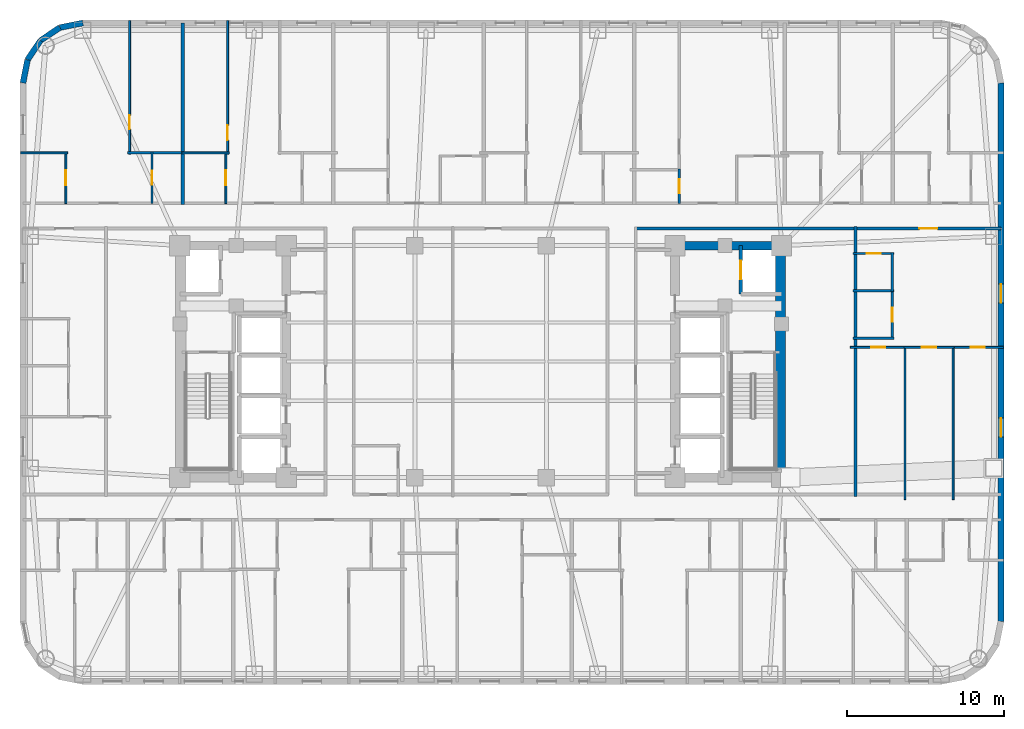
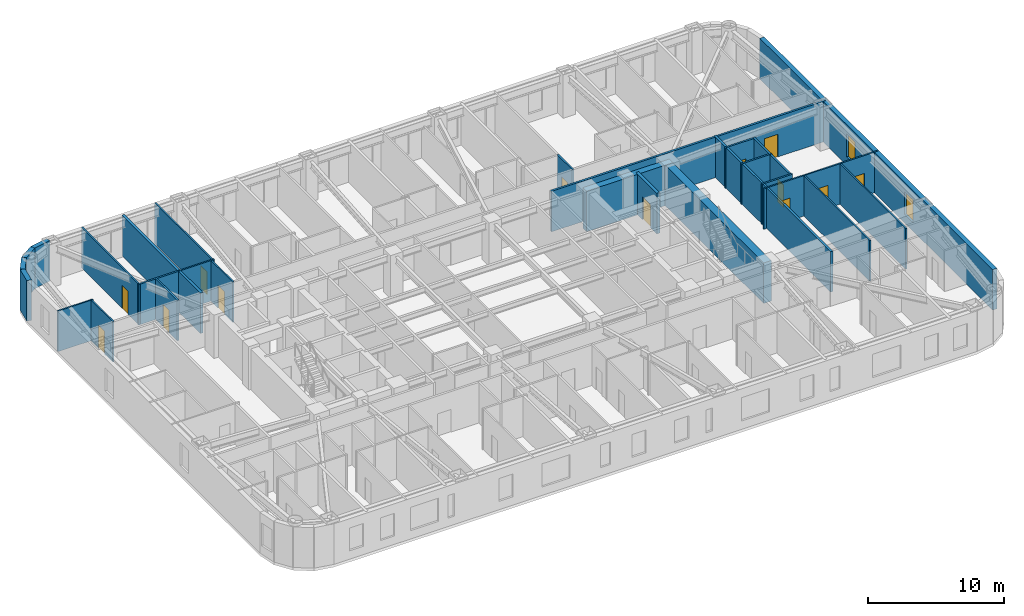
# One storey, part 7 of 11: 30 walls, 13 doors, 2 windows, 15 openings.
"""IFC4 building model written with IfcOpenShell, lengths in metres."""

from ifc_helpers import new_model, si_unit, direction, frame, frame_2d, origin, place, context, subcontext, project, spatial, rectangle, extrude, material, layer, layer_set, type_object, element, fill, save


model = new_model("IFC4")

# Units and contexts
model_context = context("Model", 3, precision=1e-05, world=origin(), true_north=direction((0.0, 1.0)))
body_context = subcontext(model_context, "Body", "Model", "MODEL_VIEW")
ifc_project = project(units=[si_unit("LENGTHUNIT", "METRE"), si_unit("AREAUNIT", "SQUARE_METRE"), si_unit("VOLUMEUNIT", "CUBIC_METRE"), si_unit("PLANEANGLEUNIT", "RADIAN"), si_unit("MASSUNIT", "GRAM", prefix="KILO")], contexts=[model_context])

# Site, building, storey
site_placement = place(None, origin())
site = spatial("IfcSite", under=ifc_project, at=site_placement, CompositionType="ELEMENT")
building_placement = place(site_placement, origin())
building = spatial("IfcBuilding", under=site, at=building_placement, Name="Voryun Gate Residences", CompositionType="ELEMENT")
storey_placement = place(building_placement, frame((0.0, 0.0, 105.300048828125)))
storey = spatial("IfcBuildingStorey", under=building, at=storey_placement, Name="L25", CompositionType="ELEMENT", Elevation=105.300048828125)

# Walls
ifc_material_1 = material(Name="Concrete C60/75", Category="concrete")
ifc_layer_1 = layer(ifc_material_1, 0.550048828125, Name="CW_CORE_550")
ifc_layer_set_1 = layer_set([ifc_layer_1], Name="Concrete C60/75")
wall_type_1 = type_object("IfcWallType", Name="CW_CORE_550", PredefinedType="SHEAR", material=ifc_layer_set_1)
wall_1_placement = place(storey_placement, frame((12.125, 7.39990234375, 0.0), z_axis=(0.0, 0.0, 1.0), x_axis=(1.0, 0.0, 0.0)))
element("IfcWall", 1, at=wall_1_placement, inside=storey, type_object=wall_type_1, Name="L25 Core shear wall CW-L25-EN", PredefinedType="SHEAR", context=body_context, shape_type="SweptSolid", body=[
    extrude(rectangle(XDim=7.35009765625, YDim=0.550048828125, at=frame_2d((3.675048828125, 0.0))), origin(), (0.0, 0.0, 1.0), 3.64990234375),
])
ifc_material_2 = material(Name="Concrete C60/75", Category="concrete")
ifc_layer_2 = layer(ifc_material_2, 0.64990234375, Name="CW_CORE_650")
ifc_layer_set_2 = layer_set([ifc_layer_2], Name="Concrete C60/75")
wall_type_2 = type_object("IfcWallType", Name="CW_CORE_650", PredefinedType="SHEAR", material=ifc_layer_set_2)
wall_2_placement = place(storey_placement, frame((19.14501953125, -7.39990234375, 0.0), z_axis=(0.0, 0.0, 1.0), x_axis=(0.0, 1.0, 0.0)))
element("IfcWall", 2, at=wall_2_placement, inside=storey, type_object=wall_type_2, Name="L25 Core shear wall CW-L25-EE", PredefinedType="SHEAR", context=body_context, shape_type="SweptSolid", body=[
    extrude(rectangle(XDim=14.7998046875, YDim=0.64990234375, at=frame_2d((7.39990234375, 0.0))), origin(), (0.0, 0.0, 1.0), 3.64990234375),
])

# Wall, opening, door
ifc_material_3 = material(Name="Gypsum acoustic fireboard")
ifc_layer_3 = layer(ifc_material_3, 0.179931640625, Name="W_CORR_RATED_180")
ifc_layer_set_3 = layer_set([ifc_layer_3], Name="Gypsum acoustic fireboard")
wall_type_3 = type_object("IfcWallType", Name="W_CORR_RATED_180", PredefinedType="PARTITIONING", material=ifc_layer_set_3)
wall_3_placement = place(storey_placement, frame((9.8798828125, 8.489990234375, 0.0), z_axis=(0.0, 0.0, 1.0), x_axis=(1.0, 0.0, 0.0)))
wall_3 = element("IfcWall", 3, at=wall_3_placement, inside=storey, type_object=wall_type_3, Name="Partition wall WP-L25-CWING-EN", PredefinedType="PARTITIONING", context=body_context, shape_type="SweptSolid", body=[
    extrude(rectangle(XDim=23.330078125, YDim=0.179931640625, at=frame_2d((11.6650390625, 0.0))), origin(), (0.0, 0.0, 1.0), 3.64990234375),
])
opening_1_placement = place(wall_3_placement, frame((18.11474609375, 0.0, 0.0)))
opening_1 = element("IfcOpeningElement", 4, at=opening_1_placement, cuts=wall_3, Name="Opening D-UNIT-1", PredefinedType="OPENING", context=body_context, shape_type="SweptSolid", body=[
    extrude(rectangle(XDim=1.14990234375, YDim=2.050048828125, at=frame_2d((0.574951171875, 1.02490234375))), frame((0.0, 0.099853515625, 0.0), z_axis=(0.0, -1.0, 0.0), x_axis=(1.0, 0.0, 0.0)), (0.0, 0.0, 1.0), 0.199951171875),
])
ifc_material_4 = material(Name="Armoured timber-clad fire door", Category="wood")
door_type_1 = type_object("IfcDoorType", Name="DR_UNIT_ENTRY_1150", OperationType="NOTDEFINED", PredefinedType="DOOR", material=ifc_material_4)
door_1_placement = place(opening_1_placement, origin())
door_1 = element("IfcDoor", 5, at=door_1_placement, inside=storey, type_object=door_type_1, Name="Door DR-L25-EE1N", OperationType="SINGLE_SWING_LEFT", OverallHeight=2.050048828125, OverallWidth=1.14990234375, PredefinedType="DOOR", context=body_context, shape_type="SweptSolid", body=[
    extrude(rectangle(XDim=1.14990234375, YDim=2.050048828125, at=frame_2d((0.574951171875, 1.02490234375))), frame((0.0, 0.02490234375, 0.0), z_axis=(0.0, -1.0, 0.0), x_axis=(1.0, 0.0, 0.0)), (0.0, 0.0, 1.0), 0.050048828125),
])
fill(opening_1, door_1)

# Walls
wall_4_placement = place(storey_placement, frame((23.919921875, -8.610107421875, 0.0), z_axis=(0.0, 0.0, 1.0), x_axis=(0.0, 1.0, 0.0)))
element("IfcWall", 6, at=wall_4_placement, inside=storey, type_object=wall_type_3, Name="Partition wall WP-L25-ECOR", PredefinedType="PARTITIONING", context=body_context, shape_type="SweptSolid", body=[
    extrude(rectangle(XDim=17.22021484375, YDim=0.179931640625, at=frame_2d((8.610107421875, 0.0))), origin(), (0.0, 0.0, 1.0), 3.64990234375),
])
ifc_material_5 = material(Name="Granite masonry", Category="masonry")
ifc_layer_4 = layer(ifc_material_5, 0.3798828125, Name="W_EXT_GRANITE_380")
ifc_layer_set_4 = layer_set([ifc_layer_4], Name="Granite masonry")
wall_type_4 = type_object("IfcWallType", Name="W_EXT_GRANITE_380", PredefinedType="ELEMENTEDWALL", material=ifc_layer_set_4)
wall_5_placement = place(storey_placement, frame((-29.2099609375, 17.78125, 0.0), z_axis=(0.0, 0.0, 1.0), x_axis=(0.195086038585, 0.980786132421, 0.0)))
element("IfcWall", 7, at=wall_5_placement, inside=storey, type_object=wall_type_4, Name="Exterior wall WEXT-L25-07", PredefinedType="ELEMENTEDWALL", context=body_context, shape_type="SweptSolid", body=[
    extrude(rectangle(XDim=1.504150390625, YDim=0.3798828125, at=frame_2d((0.751953125, 0.0))), origin(), (0.0, 0.0, 1.0), 3.64990234375),
])
wall_6_placement = place(storey_placement, frame((-28.91650390625, 19.256591796875, 0.0), z_axis=(0.0, 0.0, 1.0), x_axis=(0.555610286119, 0.831442848281, 0.0)))
element("IfcWall", 8, at=wall_6_placement, inside=storey, type_object=wall_type_4, Name="Exterior wall WEXT-L25-08", PredefinedType="ELEMENTEDWALL", context=body_context, shape_type="SweptSolid", body=[
    extrude(rectangle(XDim=1.485107421875, YDim=0.3798828125, at=frame_2d((0.74267578125, 0.0))), origin(), (0.0, 0.0, 1.0), 3.64990234375),
])
wall_7_placement = place(storey_placement, frame((-28.09130859375, 20.491455078125, 0.0), z_axis=(0.0, 0.0, 1.0), x_axis=(0.831468045563, 0.555572577804, 0.0)))
element("IfcWall", 9, at=wall_7_placement, inside=storey, type_object=wall_type_4, Name="Exterior wall WEXT-L25-09", PredefinedType="ELEMENTEDWALL", context=body_context, shape_type="SweptSolid", body=[
    extrude(rectangle(XDim=1.48486328125, YDim=0.3798828125, at=frame_2d((0.742431640625, 0.0))), origin(), (0.0, 0.0, 1.0), 3.64990234375),
])
wall_8_placement = place(storey_placement, frame((-26.856689453125, 21.31640625, 0.0), z_axis=(0.0, 0.0, 1.0), x_axis=(0.980755066645, 0.195242155415, 0.0)))
element("IfcWall", 10, at=wall_8_placement, inside=storey, type_object=wall_type_4, Name="Exterior wall WEXT-L25-10", PredefinedType="ELEMENTEDWALL", context=body_context, shape_type="SweptSolid", body=[
    extrude(rectangle(XDim=1.50439453125, YDim=0.3798828125, at=frame_2d((0.752197265625, 0.0))), origin(), (0.0, 0.0, 1.0), 3.64990234375),
])

# Wall, openings, windows
wall_9_placement = place(storey_placement, frame((33.2099609375, 17.78125, 0.0), z_axis=(0.0, 0.0, 1.0), x_axis=(0.0, -1.0, 0.0)))
wall_9 = element("IfcWall", 11, at=wall_9_placement, inside=storey, type_object=wall_type_4, Name="Exterior wall WEXT-L25-16", PredefinedType="ELEMENTEDWALL", context=body_context, shape_type="SweptSolid", body=[
    extrude(rectangle(XDim=34.362548828125, YDim=0.3798828125, at=frame_2d((17.18115234375, 0.0))), origin(), (0.0, 0.0, 1.0), 3.64990234375),
])
opening_2_placement = place(wall_9_placement, frame((12.836181640625, 0.0, 0.75)))
opening_2 = element("IfcOpeningElement", 12, at=opening_2_placement, cuts=wall_9, Name="Opening WN6", PredefinedType="OPENING", context=body_context, shape_type="SweptSolid", body=[
    extrude(rectangle(XDim=1.199951171875, YDim=2.050048828125, at=frame_2d((0.60009765625, 1.02490234375))), frame((0.0, 0.199951171875, 0.0), z_axis=(0.0, -1.0, 0.0), x_axis=(1.0, 0.0, 0.0)), (0.0, 0.0, 1.0), 0.39990234375),
])
opening_3_placement = place(wall_9_placement, frame((21.38623046875, 0.0, 0.75)))
opening_3 = element("IfcOpeningElement", 13, at=opening_3_placement, cuts=wall_9, Name="Opening WN6", PredefinedType="OPENING", context=body_context, shape_type="SweptSolid", body=[
    extrude(rectangle(XDim=1.199951171875, YDim=2.050048828125, at=frame_2d((0.60009765625, 1.02490234375))), frame((0.0, 0.199951171875, 0.0), z_axis=(0.0, -1.0, 0.0), x_axis=(1.0, 0.0, 0.0)), (0.0, 0.0, 1.0), 0.39990234375),
])
ifc_material_6 = material(Name="Laminated low-E glass", Category="glass")
window_type = type_object("IfcWindowType", Name="WN_POD_SLOT_1200", PartitioningType="SINGLE_PANEL", PredefinedType="WINDOW", material=ifc_material_6)
window_1_placement = place(opening_2_placement, origin())
window_1 = element("IfcWindow", 14, at=window_1_placement, inside=storey, type_object=window_type, Name="Window WN-L25-DWFIX-31", OverallHeight=2.050048828125, OverallWidth=1.199951171875, PartitioningType="SINGLE_PANEL", PredefinedType="WINDOW", context=body_context, shape_type="SweptSolid", body=[
    extrude(rectangle(XDim=1.199951171875, YDim=2.050048828125, at=frame_2d((0.60009765625, 1.02490234375))), frame((0.0, 0.030029296875, 0.0), z_axis=(0.0, -1.0, 0.0), x_axis=(1.0, 0.0, 0.0)), (0.0, 0.0, 1.0), 0.06005859375),
])
fill(opening_2, window_1)
window_2_placement = place(opening_3_placement, origin())
window_2 = element("IfcWindow", 15, at=window_2_placement, inside=storey, type_object=window_type, Name="Window WN-L25-DWFIX-32", OverallHeight=2.050048828125, OverallWidth=1.199951171875, PartitioningType="SINGLE_PANEL", PredefinedType="WINDOW", context=body_context, shape_type="SweptSolid", body=[
    extrude(rectangle(XDim=1.199951171875, YDim=2.050048828125, at=frame_2d((0.60009765625, 1.02490234375))), frame((0.0, 0.030029296875, 0.0), z_axis=(0.0, -1.0, 0.0), x_axis=(1.0, 0.0, 0.0)), (0.0, 0.0, 1.0), 0.06005859375),
])
fill(opening_3, window_2)

# Wall
ifc_material_7 = material(Name="Concrete C40/50", Category="concrete")
ifc_layer_5 = layer(ifc_material_7, 0.219970703125, Name="W_PARTY_ACOUSTIC_220")
ifc_layer_set_5 = layer_set([ifc_layer_5], Name="Concrete C40/50")
wall_type_5 = type_object("IfcWallType", Name="W_PARTY_ACOUSTIC_220", PredefinedType="PARTITIONING", material=ifc_layer_set_5)
wall_10_placement = place(storey_placement, frame((-19.0, 10.02001953125, 0.0), z_axis=(0.0, 0.0, 1.0), x_axis=(0.0, 1.0, 0.0)))
element("IfcWall", 16, at=wall_10_placement, inside=storey, type_object=wall_type_5, Name="Partition wall WP-L25-NPTY-1", PredefinedType="PARTITIONING", context=body_context, shape_type="SweptSolid", body=[
    extrude(rectangle(XDim=11.590087890625, YDim=0.219970703125, at=frame_2d((5.794921875, 0.0))), origin(), (0.0, 0.0, 1.0), 3.64990234375),
])

# Wall, opening, door
ifc_material_8 = material(Name="Concrete C50/60", Category="concrete")
ifc_layer_6 = layer(ifc_material_8, 0.25, Name="W_SHAFT_RC250")
ifc_layer_set_6 = layer_set([ifc_layer_6], Name="Concrete C50/60")
wall_type_6 = type_object("IfcWallType", Name="W_SHAFT_RC250", PredefinedType="SOLIDWALL", material=ifc_layer_set_6)
wall_11_placement = place(storey_placement, frame((16.60009765625, 7.39990234375, 0.0), z_axis=(0.0, 0.0, 1.0), x_axis=(0.0, -1.0, 0.0)))
wall_11 = element("IfcWall", 17, at=wall_11_placement, inside=storey, type_object=wall_type_6, Name="Lift shaft wall WSH-L25-EL-FF-E1-W", PredefinedType="SOLIDWALL", context=body_context, shape_type="SweptSolid", body=[
    extrude(rectangle(XDim=3.099853515625, YDim=0.25, at=frame_2d((1.5498046875, 0.0))), origin(), (0.0, 0.0, 1.0), 3.64990234375),
])
opening_4_placement = place(wall_11_placement, frame((0.949951171875, 0.0, 0.0)))
opening_4 = element("IfcOpeningElement", 18, at=opening_4_placement, cuts=wall_11, Name="Opening LD1", PredefinedType="OPENING", context=body_context, shape_type="SweptSolid", body=[
    extrude(rectangle(XDim=1.199951171875, YDim=2.050048828125, at=frame_2d((0.60009765625, 1.02490234375))), frame((0.0, 0.135009765625, 0.0), z_axis=(0.0, -1.0, 0.0), x_axis=(1.0, 0.0, 0.0)), (0.0, 0.0, 1.0), 0.27001953125),
])
ifc_material_9 = material(Name="Anodised aluminium", Category="aluminium")
door_type_2 = type_object("IfcDoorType", Name="DR_LD_FF_1200", OperationType="NOTDEFINED", PredefinedType="DOOR", material=ifc_material_9)
door_2_placement = place(opening_4_placement, origin())
door_2 = element("IfcDoor", 19, at=door_2_placement, inside=storey, type_object=door_type_2, Name="Lift EL-FF-E1 sliding landing door L25", OperationType="SLIDING_TO_LEFT", OverallHeight=2.050048828125, OverallWidth=1.199951171875, PredefinedType="DOOR", context=body_context, shape_type="SweptSolid", body=[
    extrude(rectangle(XDim=1.199951171875, YDim=2.050048828125, at=frame_2d((0.60009765625, 1.02490234375))), frame((0.0, 0.02490234375, 0.0), z_axis=(0.0, -1.0, 0.0), x_axis=(1.0, 0.0, 0.0)), (0.0, 0.0, 1.0), 0.050048828125),
])
fill(opening_4, door_2)

ifc_material_10 = material(Name="Gypsum acoustic partition")
ifc_layer_7 = layer(ifc_material_10, 0.125, Name="W_UNIT_PART_125")
ifc_layer_set_7 = layer_set([ifc_layer_7], Name="Gypsum acoustic partition")
wall_type_7 = type_object("IfcWallType", Name="W_UNIT_PART_125", PredefinedType="PARTITIONING", material=ifc_layer_set_7)
wall_12_placement = place(storey_placement, frame((-22.409912109375, 13.239990234375, 0.0), z_axis=(0.0, 0.0, 1.0), x_axis=(0.0, 1.0, 0.0)))
wall_12 = element("IfcWall", 20, at=wall_12_placement, inside=storey, type_object=wall_type_7, Name="Partition wall WP-L25-N1-OVR", PredefinedType="PARTITIONING", context=body_context, shape_type="SweptSolid", body=[
    extrude(rectangle(XDim=8.52001953125, YDim=0.125, at=frame_2d((4.260009765625, 0.0))), origin(), (0.0, 0.0, 1.0), 3.64990234375),
])
opening_5_placement = place(wall_12_placement, frame((1.5947265625, 0.0, 0.0)))
opening_5 = element("IfcOpeningElement", 21, at=opening_5_placement, cuts=wall_12, Name="Opening D-INT-2", PredefinedType="OPENING", context=body_context, shape_type="SweptSolid", body=[
    extrude(rectangle(XDim=0.89990234375, YDim=2.050048828125, at=frame_2d((0.449951171875, 1.02490234375))), frame((0.0, 0.072509765625, 0.0), z_axis=(0.0, -1.0, 0.0), x_axis=(1.0, 0.0, 0.0)), (0.0, 0.0, 1.0), 0.14501953125),
])
ifc_material_11 = material(Name="Architectural oak veneer")
door_type_3 = type_object("IfcDoorType", Name="DR_INT_BATH_900", OperationType="NOTDEFINED", PredefinedType="DOOR", material=ifc_material_11)
door_3_placement = place(opening_5_placement, origin())
door_3 = element("IfcDoor", 22, at=door_3_placement, inside=storey, type_object=door_type_3, Name="Door DR-L25-N1-DMB", OperationType="SINGLE_SWING_RIGHT", OverallHeight=2.050048828125, OverallWidth=0.89990234375, PredefinedType="DOOR", context=body_context, shape_type="SweptSolid", body=[
    extrude(rectangle(XDim=0.89990234375, YDim=2.050048828125, at=frame_2d((0.449951171875, 1.02490234375))), frame((0.0, 0.02490234375, 0.0), z_axis=(0.0, -1.0, 0.0), x_axis=(1.0, 0.0, 0.0)), (0.0, 0.0, 1.0), 0.050048828125),
])
fill(opening_5, door_3)

wall_13_placement = place(storey_placement, frame((-26.47509765625, 10.080078125, 0.0), z_axis=(0.0, 0.0, 1.0), x_axis=(0.0, 1.0, 0.0)))
wall_13 = element("IfcWall", 23, at=wall_13_placement, inside=storey, type_object=wall_type_7, Name="Partition wall WP-L25-N1-IVK", PredefinedType="PARTITIONING", context=body_context, shape_type="SweptSolid", body=[
    extrude(rectangle(XDim=3.31982421875, YDim=0.125, at=frame_2d((1.659912109375, 0.0))), origin(), (0.0, 0.0, 1.0), 3.64990234375),
])
opening_6_placement = place(wall_13_placement, frame((1.18505859375, 0.0, 0.0)))
opening_6 = element("IfcOpeningElement", 24, at=opening_6_placement, cuts=wall_13, Name="Opening D-INT-1", PredefinedType="OPENING", context=body_context, shape_type="SweptSolid", body=[
    extrude(rectangle(XDim=0.949951171875, YDim=2.050048828125, at=frame_2d((0.47509765625, 1.02490234375))), frame((0.0, 0.072509765625, 0.0), z_axis=(0.0, -1.0, 0.0), x_axis=(1.0, 0.0, 0.0)), (0.0, 0.0, 1.0), 0.14501953125),
])
ifc_material_12 = material(Name="Architectural oak veneer")
door_type_4 = type_object("IfcDoorType", Name="DR_INT_ROOM_950", OperationType="NOTDEFINED", PredefinedType="DOOR", material=ifc_material_12)
door_4_placement = place(opening_6_placement, origin())
door_4 = element("IfcDoor", 25, at=door_4_placement, inside=storey, type_object=door_type_4, Name="Door DR-L25-N1-DK", OperationType="SINGLE_SWING_LEFT", OverallHeight=2.050048828125, OverallWidth=0.949951171875, PredefinedType="DOOR", context=body_context, shape_type="SweptSolid", body=[
    extrude(rectangle(XDim=0.949951171875, YDim=2.050048828125, at=frame_2d((0.47509765625, 1.02490234375))), frame((0.0, 0.02490234375, 0.0), z_axis=(0.0, -1.0, 0.0), x_axis=(1.0, 0.0, 0.0)), (0.0, 0.0, 1.0), 0.050048828125),
])
fill(opening_6, door_4)

# Wall
wall_14_placement = place(storey_placement, frame((-29.360107421875, 13.320068359375, 0.0), z_axis=(0.0, 0.0, 1.0), x_axis=(1.0, 0.0, 0.0)))
element("IfcWall", 26, at=wall_14_placement, inside=storey, type_object=wall_type_7, Name="Partition wall WP-L25-N1-HZK", PredefinedType="PARTITIONING", context=body_context, shape_type="SweptSolid", body=[
    extrude(rectangle(XDim=3.005126953125, YDim=0.125, at=frame_2d((1.50244140625, 0.0))), origin(), (0.0, 0.0, 1.0), 3.64990234375),
])

# Wall, opening, door
wall_15_placement = place(storey_placement, frame((-16.153076171875, 13.239990234375, 0.0), z_axis=(0.0, 0.0, 1.0), x_axis=(0.0, 1.0, 0.0)))
wall_15 = element("IfcWall", 27, at=wall_15_placement, inside=storey, type_object=wall_type_7, Name="Partition wall WP-L25-N2-OVL", PredefinedType="PARTITIONING", context=body_context, shape_type="SweptSolid", body=[
    extrude(rectangle(XDim=8.52001953125, YDim=0.125, at=frame_2d((4.260009765625, 0.0))), origin(), (0.0, 0.0, 1.0), 3.64990234375),
])
opening_7_placement = place(wall_15_placement, frame((0.88818359375, 0.0, 0.0)))
opening_7 = element("IfcOpeningElement", 28, at=opening_7_placement, cuts=wall_15, Name="Opening D-INT-1", PredefinedType="OPENING", context=body_context, shape_type="SweptSolid", body=[
    extrude(rectangle(XDim=0.949951171875, YDim=2.050048828125, at=frame_2d((0.47509765625, 1.02490234375))), frame((0.0, 0.072509765625, 0.0), z_axis=(0.0, -1.0, 0.0), x_axis=(1.0, 0.0, 0.0)), (0.0, 0.0, 1.0), 0.14501953125),
])
door_5_placement = place(opening_7_placement, origin())
door_5 = element("IfcDoor", 29, at=door_5_placement, inside=storey, type_object=door_type_4, Name="Door DR-L25-N2-DB2", OperationType="SINGLE_SWING_LEFT", OverallHeight=2.050048828125, OverallWidth=0.949951171875, PredefinedType="DOOR", context=body_context, shape_type="SweptSolid", body=[
    extrude(rectangle(XDim=0.949951171875, YDim=2.050048828125, at=frame_2d((0.47509765625, 1.02490234375))), frame((0.0, 0.02490234375, 0.0), z_axis=(0.0, -1.0, 0.0), x_axis=(1.0, 0.0, 0.0)), (0.0, 0.0, 1.0), 0.050048828125),
])
fill(opening_7, door_5)

wall_16_placement = place(storey_placement, frame((-16.26708984375, 10.080078125, 0.0), z_axis=(0.0, 0.0, 1.0), x_axis=(0.0, 1.0, 0.0)))
wall_16 = element("IfcWall", 30, at=wall_16_placement, inside=storey, type_object=wall_type_7, Name="Partition wall WP-L25-N2-IVK", PredefinedType="PARTITIONING", context=body_context, shape_type="SweptSolid", body=[
    extrude(rectangle(XDim=3.31982421875, YDim=0.125, at=frame_2d((1.659912109375, 0.0))), origin(), (0.0, 0.0, 1.0), 3.64990234375),
])
opening_8_placement = place(wall_16_placement, frame((1.18505859375, 0.0, 0.0)))
opening_8 = element("IfcOpeningElement", 31, at=opening_8_placement, cuts=wall_16, Name="Opening D-INT-1", PredefinedType="OPENING", context=body_context, shape_type="SweptSolid", body=[
    extrude(rectangle(XDim=0.949951171875, YDim=2.050048828125, at=frame_2d((0.47509765625, 1.02490234375))), frame((0.0, 0.072509765625, 0.0), z_axis=(0.0, -1.0, 0.0), x_axis=(1.0, 0.0, 0.0)), (0.0, 0.0, 1.0), 0.14501953125),
])
door_6_placement = place(opening_8_placement, origin())
door_6 = element("IfcDoor", 32, at=door_6_placement, inside=storey, type_object=door_type_4, Name="Door DR-L25-N2-DK", OperationType="SINGLE_SWING_LEFT", OverallHeight=2.050048828125, OverallWidth=0.949951171875, PredefinedType="DOOR", context=body_context, shape_type="SweptSolid", body=[
    extrude(rectangle(XDim=0.949951171875, YDim=2.050048828125, at=frame_2d((0.47509765625, 1.02490234375))), frame((0.0, 0.02490234375, 0.0), z_axis=(0.0, -1.0, 0.0), x_axis=(1.0, 0.0, 0.0)), (0.0, 0.0, 1.0), 0.050048828125),
])
fill(opening_8, door_6)

# Wall
wall_17_placement = place(storey_placement, frame((-19.074951171875, 13.320068359375, 0.0), z_axis=(0.0, 0.0, 1.0), x_axis=(1.0, 0.0, 0.0)))
element("IfcWall", 33, at=wall_17_placement, inside=storey, type_object=wall_type_7, Name="Partition wall WP-L25-N2-HZK", PredefinedType="PARTITIONING", context=body_context, shape_type="SweptSolid", body=[
    extrude(rectangle(XDim=3.0419921875, YDim=0.125, at=frame_2d((1.52099609375, 0.0))), origin(), (0.0, 0.0, 1.0), 3.64990234375),
])

# Wall, opening, door
wall_18_placement = place(storey_placement, frame((23.60009765625, 0.909912109375, 0.0), z_axis=(0.0, 0.0, 1.0), x_axis=(1.0, 0.0, 0.0)))
wall_18 = element("IfcWall", 34, at=wall_18_placement, inside=storey, type_object=wall_type_7, Name="Partition wall WP-L25-E1-HZMB1", PredefinedType="PARTITIONING", context=body_context, shape_type="SweptSolid", body=[
    extrude(rectangle(XDim=3.54345703125, YDim=0.125, at=frame_2d((1.771728515625, 0.0))), origin(), (0.0, 0.0, 1.0), 3.64990234375),
])
opening_9_placement = place(wall_18_placement, frame((1.33056640625, 0.0, 0.0)))
opening_9 = element("IfcOpeningElement", 35, at=opening_9_placement, cuts=wall_18, Name="Opening D-INT-2", PredefinedType="OPENING", context=body_context, shape_type="SweptSolid", body=[
    extrude(rectangle(XDim=0.89990234375, YDim=2.050048828125, at=frame_2d((0.449951171875, 1.02490234375))), frame((0.0, 0.072509765625, 0.0), z_axis=(0.0, -1.0, 0.0), x_axis=(1.0, 0.0, 0.0)), (0.0, 0.0, 1.0), 0.14501953125),
])
door_7_placement = place(opening_9_placement, origin())
door_7 = element("IfcDoor", 36, at=door_7_placement, inside=storey, type_object=door_type_3, Name="Door DR-L25-E1-DMB", OperationType="SINGLE_SWING_LEFT", OverallHeight=2.050048828125, OverallWidth=0.89990234375, PredefinedType="DOOR", context=body_context, shape_type="SweptSolid", body=[
    extrude(rectangle(XDim=0.89990234375, YDim=2.050048828125, at=frame_2d((0.449951171875, 1.02490234375))), frame((0.0, 0.02490234375, 0.0), z_axis=(0.0, -1.0, 0.0), x_axis=(1.0, 0.0, 0.0)), (0.0, 0.0, 1.0), 0.050048828125),
])
fill(opening_9, door_7)

wall_19_placement = place(storey_placement, frame((27.0185546875, 0.909912109375, 0.0), z_axis=(0.0, 0.0, 1.0), x_axis=(1.0, 0.0, 0.0)))
wall_19 = element("IfcWall", 37, at=wall_19_placement, inside=storey, type_object=wall_type_7, Name="Partition wall WP-L25-E1-HZMB2", PredefinedType="PARTITIONING", context=body_context, shape_type="SweptSolid", body=[
    extrude(rectangle(XDim=3.19287109375, YDim=0.125, at=frame_2d((1.596435546875, 0.0))), origin(), (0.0, 0.0, 1.0), 3.64990234375),
])
opening_10_placement = place(wall_19_placement, frame((1.146484375, 0.0, 0.0)))
opening_10 = element("IfcOpeningElement", 38, at=opening_10_placement, cuts=wall_19, Name="Opening D-INT-2", PredefinedType="OPENING", context=body_context, shape_type="SweptSolid", body=[
    extrude(rectangle(XDim=0.89990234375, YDim=2.050048828125, at=frame_2d((0.449951171875, 1.02490234375))), frame((0.0, 0.072509765625, 0.0), z_axis=(0.0, -1.0, 0.0), x_axis=(1.0, 0.0, 0.0)), (0.0, 0.0, 1.0), 0.14501953125),
])
door_8_placement = place(opening_10_placement, origin())
door_8 = element("IfcDoor", 39, at=door_8_placement, inside=storey, type_object=door_type_3, Name="Door DR-L25-E1-DBD2", OperationType="SINGLE_SWING_RIGHT", OverallHeight=2.050048828125, OverallWidth=0.89990234375, PredefinedType="DOOR", context=body_context, shape_type="SweptSolid", body=[
    extrude(rectangle(XDim=0.89990234375, YDim=2.050048828125, at=frame_2d((0.449951171875, 1.02490234375))), frame((0.0, 0.02490234375, 0.0), z_axis=(0.0, -1.0, 0.0), x_axis=(1.0, 0.0, 0.0)), (0.0, 0.0, 1.0), 0.050048828125),
])
fill(opening_10, door_8)

wall_20_placement = place(storey_placement, frame((30.08642578125, 0.909912109375, 0.0), z_axis=(0.0, 0.0, 1.0), x_axis=(1.0, 0.0, 0.0)))
wall_20 = element("IfcWall", 40, at=wall_20_placement, inside=storey, type_object=wall_type_7, Name="Partition wall WP-L25-E1-HZMB3", PredefinedType="PARTITIONING", context=body_context, shape_type="SweptSolid", body=[
    extrude(rectangle(XDim=3.273681640625, YDim=0.125, at=frame_2d((1.63671875, 0.0))), origin(), (0.0, 0.0, 1.0), 3.64990234375),
])
opening_11_placement = place(wall_20_placement, frame((1.177978515625, 0.0, 0.0)))
opening_11 = element("IfcOpeningElement", 41, at=opening_11_placement, cuts=wall_20, Name="Opening D-INT-2", PredefinedType="OPENING", context=body_context, shape_type="SweptSolid", body=[
    extrude(rectangle(XDim=0.89990234375, YDim=2.050048828125, at=frame_2d((0.449951171875, 1.02490234375))), frame((0.0, 0.072509765625, 0.0), z_axis=(0.0, -1.0, 0.0), x_axis=(1.0, 0.0, 0.0)), (0.0, 0.0, 1.0), 0.14501953125),
])
door_9_placement = place(opening_11_placement, origin())
door_9 = element("IfcDoor", 42, at=door_9_placement, inside=storey, type_object=door_type_3, Name="Door DR-L25-E1-DBD3", OperationType="SINGLE_SWING_LEFT", OverallHeight=2.050048828125, OverallWidth=0.89990234375, PredefinedType="DOOR", context=body_context, shape_type="SweptSolid", body=[
    extrude(rectangle(XDim=0.89990234375, YDim=2.050048828125, at=frame_2d((0.449951171875, 1.02490234375))), frame((0.0, 0.02490234375, 0.0), z_axis=(0.0, -1.0, 0.0), x_axis=(1.0, 0.0, 0.0)), (0.0, 0.0, 1.0), 0.050048828125),
])
fill(opening_11, door_9)

# Walls
for number, where, z_axis, x_axis, name in (
    (43, (30.14892578125, -8.81005859375, 0.0), (0.0, 0.0, 1.0), (0.0, 1.0, 0.0), "Partition wall WP-L25-E1-VMB2"),
    (44, (27.0810546875, -8.81005859375, 0.0), (0.0, 0.0, 1.0), (0.0, 1.0, 0.0), "Partition wall WP-L25-E1-VMB"),
):
    element("IfcWall", number, at=place(storey_placement, frame(where, z_axis=z_axis, x_axis=x_axis)), inside=storey, type_object=wall_type_7, Name=name, PredefinedType="PARTITIONING", context=body_context, shape_type="SweptSolid", body=[
        extrude(rectangle(XDim=9.780029296875, YDim=0.125, at=frame_2d((4.89013671875, 0.0))), origin(), (0.0, 0.0, 1.0), 3.64990234375),
    ])
ifc_material_13 = material(Name="Gypsum moisture-resistant partition")
ifc_layer_8 = layer(ifc_material_13, 0.14990234375, Name="W_WET_PLUMB_150")
ifc_layer_set_8 = layer_set([ifc_layer_8], Name="Gypsum moisture-resistant partition")
wall_type_8 = type_object("IfcWallType", Name="W_WET_PLUMB_150", PredefinedType="PLUMBINGWALL", material=ifc_layer_set_8)
wall_21_placement = place(storey_placement, frame((-22.530029296875, 13.320068359375, 0.0), z_axis=(0.0, 0.0, 1.0), x_axis=(1.0, 0.0, 0.0)))
element("IfcWall", 45, at=wall_21_placement, inside=storey, type_object=wall_type_8, Name="Partition wall WP-L25-N1-HZB", PredefinedType="PLUMBINGWALL", context=body_context, shape_type="SweptSolid", body=[
    extrude(rectangle(XDim=3.60498046875, YDim=0.14990234375, at=frame_2d((1.802490234375, 0.0))), origin(), (0.0, 0.0, 1.0), 3.64990234375),
])

# Wall, opening, door
wall_22_placement = place(storey_placement, frame((-20.97998046875, 10.080078125, 0.0), z_axis=(0.0, 0.0, 1.0), x_axis=(0.0, 1.0, 0.0)))
wall_22 = element("IfcWall", 46, at=wall_22_placement, inside=storey, type_object=wall_type_8, Name="Partition wall WP-L25-N1-IVB", PredefinedType="PLUMBINGWALL", context=body_context, shape_type="SweptSolid", body=[
    extrude(rectangle(XDim=3.31982421875, YDim=0.14990234375, at=frame_2d((1.659912109375, 0.0))), origin(), (0.0, 0.0, 1.0), 3.64990234375),
])
opening_12_placement = place(wall_22_placement, frame((1.2099609375, 0.0, 0.0)))
opening_12 = element("IfcOpeningElement", 47, at=opening_12_placement, cuts=wall_22, Name="Opening D-INT-2", PredefinedType="OPENING", context=body_context, shape_type="SweptSolid", body=[
    extrude(rectangle(XDim=0.89990234375, YDim=2.050048828125, at=frame_2d((0.449951171875, 1.02490234375))), frame((0.0, 0.0849609375, 0.0), z_axis=(0.0, -1.0, 0.0), x_axis=(1.0, 0.0, 0.0)), (0.0, 0.0, 1.0), 0.169921875),
])
door_10_placement = place(opening_12_placement, origin())
door_10 = element("IfcDoor", 48, at=door_10_placement, inside=storey, type_object=door_type_3, Name="Door DR-L25-N1-DB", OperationType="SINGLE_SWING_RIGHT", OverallHeight=2.050048828125, OverallWidth=0.89990234375, PredefinedType="DOOR", context=body_context, shape_type="SweptSolid", body=[
    extrude(rectangle(XDim=0.89990234375, YDim=2.050048828125, at=frame_2d((0.449951171875, 1.02490234375))), frame((0.0, 0.02490234375, 0.0), z_axis=(0.0, -1.0, 0.0), x_axis=(1.0, 0.0, 0.0)), (0.0, 0.0, 1.0), 0.050048828125),
])
fill(opening_12, door_10)

wall_23_placement = place(storey_placement, frame((12.666015625, 10.080078125, 0.0), z_axis=(0.0, 0.0, 1.0), x_axis=(0.0, 1.0, 0.0)))
wall_23 = element("IfcWall", 49, at=wall_23_placement, inside=storey, type_object=wall_type_8, Name="Partition wall WP-L25-N5-LVX1", PredefinedType="PLUMBINGWALL", context=body_context, shape_type="SweptSolid", body=[
    extrude(rectangle(XDim=2.199951171875, YDim=0.14990234375, at=frame_2d((1.10009765625, 0.0))), origin(), (0.0, 0.0, 1.0), 3.64990234375),
])
opening_13_placement = place(wall_23_placement, frame((0.64990234375, 0.0, 0.0)))
opening_13 = element("IfcOpeningElement", 50, at=opening_13_placement, cuts=wall_23, Name="Opening D-INT-2", PredefinedType="OPENING", context=body_context, shape_type="SweptSolid", body=[
    extrude(rectangle(XDim=0.89990234375, YDim=2.050048828125, at=frame_2d((0.449951171875, 1.02490234375))), frame((0.0, 0.0849609375, 0.0), z_axis=(0.0, -1.0, 0.0), x_axis=(1.0, 0.0, 0.0)), (0.0, 0.0, 1.0), 0.169921875),
])
door_11_placement = place(opening_13_placement, origin())
door_11 = element("IfcDoor", 51, at=door_11_placement, inside=storey, type_object=door_type_3, Name="Door DR-L25-N5-DB", OperationType="SINGLE_SWING_LEFT", OverallHeight=2.050048828125, OverallWidth=0.89990234375, PredefinedType="DOOR", context=body_context, shape_type="SweptSolid", body=[
    extrude(rectangle(XDim=0.89990234375, YDim=2.050048828125, at=frame_2d((0.449951171875, 1.02490234375))), frame((0.0, 0.02490234375, 0.0), z_axis=(0.0, -1.0, 0.0), x_axis=(1.0, 0.0, 0.0)), (0.0, 0.0, 1.0), 0.050048828125),
])
fill(opening_13, door_11)

wall_24_placement = place(storey_placement, frame((23.77001953125, 6.89990234375, 0.0), z_axis=(0.0, 0.0, 1.0), x_axis=(1.0, 0.0, 0.0)))
wall_24 = element("IfcWall", 52, at=wall_24_placement, inside=storey, type_object=wall_type_8, Name="Partition wall WP-L25-E1-IBT", PredefinedType="PLUMBINGWALL", context=body_context, shape_type="SweptSolid", body=[
    extrude(rectangle(XDim=2.619873046875, YDim=0.14990234375, at=frame_2d((1.31005859375, 0.0))), origin(), (0.0, 0.0, 1.0), 3.64990234375),
])
opening_14_placement = place(wall_24_placement, frame((0.860107421875, 0.0, 0.0)))
opening_14 = element("IfcOpeningElement", 53, at=opening_14_placement, cuts=wall_24, Name="Opening D-INT-2", PredefinedType="OPENING", context=body_context, shape_type="SweptSolid", body=[
    extrude(rectangle(XDim=0.89990234375, YDim=2.050048828125, at=frame_2d((0.449951171875, 1.02490234375))), frame((0.0, 0.0849609375, 0.0), z_axis=(0.0, -1.0, 0.0), x_axis=(1.0, 0.0, 0.0)), (0.0, 0.0, 1.0), 0.169921875),
])
door_12_placement = place(opening_14_placement, origin())
door_12 = element("IfcDoor", 54, at=door_12_placement, inside=storey, type_object=door_type_3, Name="Door DR-L25-E1-DK", OperationType="SINGLE_SWING_LEFT", OverallHeight=2.050048828125, OverallWidth=0.89990234375, PredefinedType="DOOR", context=body_context, shape_type="SweptSolid", body=[
    extrude(rectangle(XDim=0.89990234375, YDim=2.050048828125, at=frame_2d((0.449951171875, 1.02490234375))), frame((0.0, 0.02490234375, 0.0), z_axis=(0.0, -1.0, 0.0), x_axis=(1.0, 0.0, 0.0)), (0.0, 0.0, 1.0), 0.050048828125),
])
fill(opening_14, door_12)

# Walls
for number, where, z_axis, x_axis, name in (
    (55, (23.77001953125, 4.52001953125, 0.0), (0.0, 0.0, 1.0), (1.0, 0.0, 0.0), "Partition wall WP-L25-E1-IKB"),
    (56, (23.77001953125, 1.5, 0.0), (0.0, 0.0, 1.0), (1.0, 0.0, 0.0), "Partition wall WP-L25-E1-IBB"),
):
    element("IfcWall", number, at=place(storey_placement, frame(where, z_axis=z_axis, x_axis=x_axis)), inside=storey, type_object=wall_type_8, Name=name, PredefinedType="PLUMBINGWALL", context=body_context, shape_type="SweptSolid", body=[
        extrude(rectangle(XDim=2.619873046875, YDim=0.14990234375, at=frame_2d((1.31005859375, 0.0))), origin(), (0.0, 0.0, 1.0), 3.64990234375),
    ])

# Wall, opening, door
wall_25_placement = place(storey_placement, frame((26.27001953125, 1.43994140625, 0.0), z_axis=(0.0, 0.0, 1.0), x_axis=(0.0, 1.0, 0.0)))
wall_25 = element("IfcWall", 57, at=wall_25_placement, inside=storey, type_object=wall_type_8, Name="Partition wall WP-L25-E1-VTSK1", PredefinedType="PLUMBINGWALL", context=body_context, shape_type="SweptSolid", body=[
    extrude(rectangle(XDim=3.1201171875, YDim=0.14990234375, at=frame_2d((1.56005859375, 0.0))), origin(), (0.0, 0.0, 1.0), 3.64990234375),
])
opening_15_placement = place(wall_25_placement, frame((1.110107421875, 0.0, 0.0)))
opening_15 = element("IfcOpeningElement", 58, at=opening_15_placement, cuts=wall_25, Name="Opening D-INT-2", PredefinedType="OPENING", context=body_context, shape_type="SweptSolid", body=[
    extrude(rectangle(XDim=0.89990234375, YDim=2.050048828125, at=frame_2d((0.449951171875, 1.02490234375))), frame((0.0, 0.0849609375, 0.0), z_axis=(0.0, -1.0, 0.0), x_axis=(1.0, 0.0, 0.0)), (0.0, 0.0, 1.0), 0.169921875),
])
door_13_placement = place(opening_15_placement, origin())
door_13 = element("IfcDoor", 59, at=door_13_placement, inside=storey, type_object=door_type_3, Name="Door DR-L25-E1-DB", OperationType="SINGLE_SWING_RIGHT", OverallHeight=2.050048828125, OverallWidth=0.89990234375, PredefinedType="DOOR", context=body_context, shape_type="SweptSolid", body=[
    extrude(rectangle(XDim=0.89990234375, YDim=2.050048828125, at=frame_2d((0.449951171875, 1.02490234375))), frame((0.0, 0.02490234375, 0.0), z_axis=(0.0, -1.0, 0.0), x_axis=(1.0, 0.0, 0.0)), (0.0, 0.0, 1.0), 0.050048828125),
])
fill(opening_15, door_13)

# Wall
wall_26_placement = place(storey_placement, frame((26.27001953125, 4.47998046875, 0.0), z_axis=(0.0, 0.0, 1.0), x_axis=(0.0, 1.0, 0.0)))
element("IfcWall", 60, at=wall_26_placement, inside=storey, type_object=wall_type_8, Name="Partition wall WP-L25-E1-VTSK2", PredefinedType="PLUMBINGWALL", context=body_context, shape_type="SweptSolid", body=[
    extrude(rectangle(XDim=2.47998046875, YDim=0.14990234375, at=frame_2d((1.239990234375, 0.0))), origin(), (0.0, 0.0, 1.0), 3.64990234375),
])

save(model, "model.ifc")
